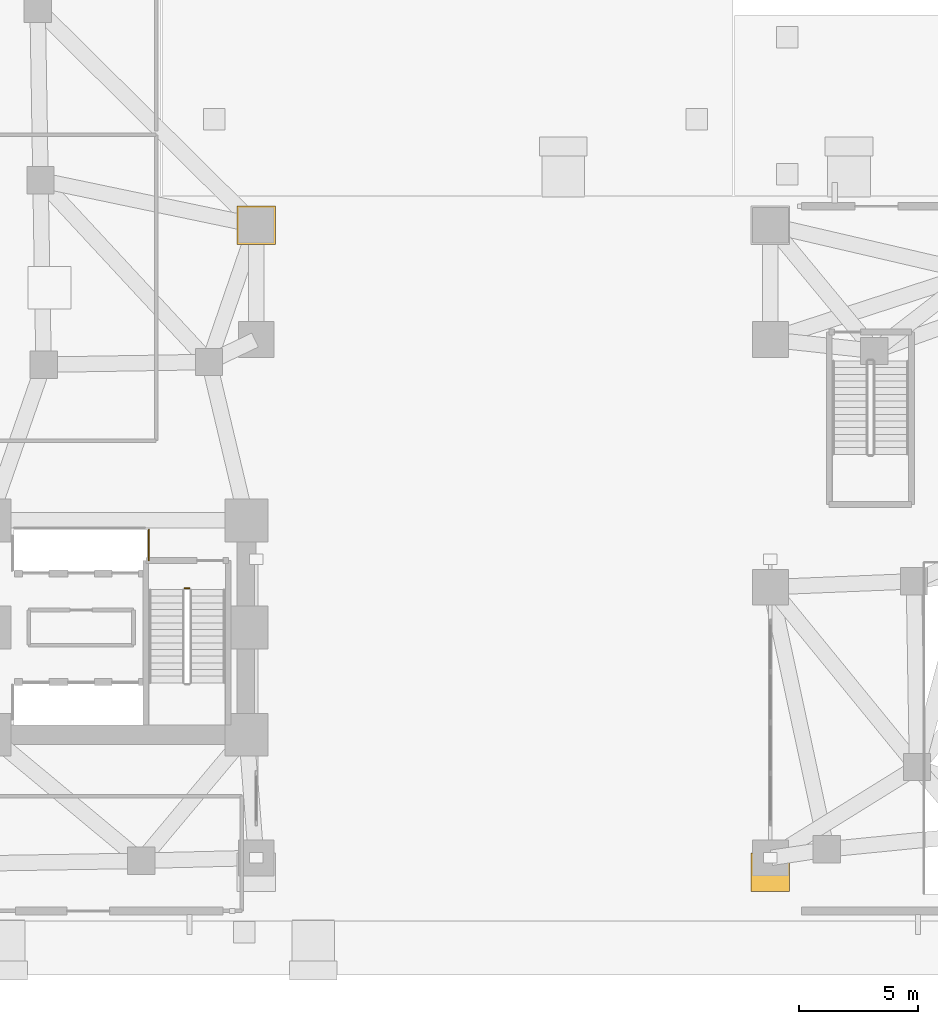
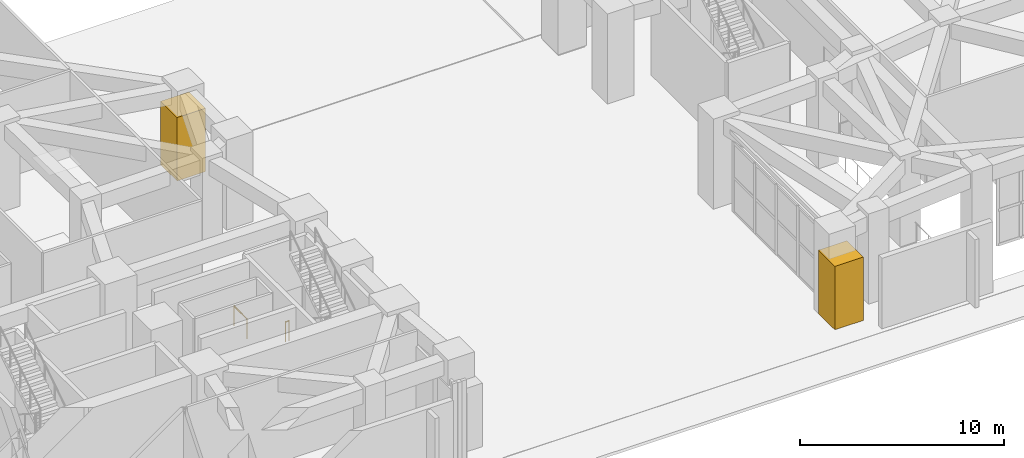
# One storey, part 16 of 19: 2 coverings, 2 railings.
"""IFC4 building model written with IfcOpenShell, lengths in metres."""

from ifc_helpers import new_model, si_unit, direction, frame, origin, origin_2d, place, context, subcontext, project, spatial, rectangle, circle, extrude, material, layer, layer_set, type_object, element, save


model = new_model("IFC4")

# Units and contexts
model_context = context("Model", 3, precision=1e-05, world=origin(), true_north=direction((0.0, 1.0)))
body_context = subcontext(model_context, "Body", "Model", "MODEL_VIEW")
ifc_project = project(units=[si_unit("LENGTHUNIT", "METRE"), si_unit("AREAUNIT", "SQUARE_METRE"), si_unit("VOLUMEUNIT", "CUBIC_METRE"), si_unit("PLANEANGLEUNIT", "RADIAN"), si_unit("MASSUNIT", "GRAM", prefix="KILO")], contexts=[model_context])

# Site, building, storey
site_placement = place(None, origin())
site = spatial("IfcSite", under=ifc_project, at=site_placement, CompositionType="ELEMENT")
building_placement = place(site_placement, origin())
building = spatial("IfcBuilding", under=site, at=building_placement, Name="Gaonmaruhae Medical Tower", CompositionType="ELEMENT")
storey_placement = place(building_placement, origin())
storey = spatial("IfcBuildingStorey", under=building, at=storey_placement, Name="L00", CompositionType="ELEMENT", Elevation=0.0)

# Coverings
ifc_material_1 = material(Name="Architectural precast column cladding", Category="concrete")
ifc_layer = layer(ifc_material_1, 0.06005859375)
ifc_layer_set = layer_set([ifc_layer], Name="Architectural precast column cladding")
covering_type = type_object("IfcCoveringType", Name="CLD-01 Architectural Precast Pier Cladding", PredefinedType="CLADDING", material=ifc_layer_set)
for number, where, z_axis, x_axis, name in (
    (1, (57.60009765625, 2.02001953125, 0.10009765625), (0.0, 0.0, 1.0), (1.0, 0.0, 0.0), "L00 Architectural Precast Column Cladding 2"),
    (2, (36.0, 29.199951171875, 0.10009765625), (0.0, 0.0, 1.0), (1.0, 0.0, 0.0), "L00 Architectural Precast Column Cladding 3"),
):
    element("IfcCovering", number, at=place(storey_placement, frame(where, z_axis=z_axis, x_axis=x_axis)), inside=storey, type_object=covering_type, Name=name, PredefinedType="CLADDING", context=body_context, shape_type="SweptSolid", body=[
        extrude(rectangle(XDim=1.6201171875, YDim=1.6201171875, at=origin_2d()), origin(), (0.0, 0.0, 1.0), 3.800048828125),
    ])

# Railings
ifc_material_2 = material(Name="Stainless steel 304 balustrade", Category="steel")
railing_type = type_object("IfcRailingType", Name="SG-112 Stair Well & Ramp Void Safety Balustrade", PredefinedType="BALUSTRADE", material=ifc_material_2)
railing_1_placement = place(storey_placement, frame((33.0, 13.949951171875, 0.0)))
element("IfcRailing", 3, at=railing_1_placement, inside=storey, type_object=railing_type, Name="L00 ST-02 stair guard 4", PredefinedType="BALUSTRADE", context=body_context, shape_type="SweptSolid", body=[
    extrude(circle(Radius=0.02392578125, at=origin_2d()), frame((0.0, 0.0, 1.17578125), z_axis=(1.0, 0.0, 0.0), x_axis=(0.0, 1.0, 0.0)), (0.0, 0.0, 1.0), 0.199951171875),
    extrude(circle(Radius=0.02099609375, at=origin_2d()), origin(), (0.0, 0.0, 1.0), 1.15185546875),
    extrude(circle(Radius=0.02099609375, at=origin_2d()), frame((0.199951171875, 0.0, 0.0)), (0.0, 0.0, 1.0), 1.15185546875),
])
railing_2_placement = place(storey_placement, frame((31.4951171875, 16.405029296875, 0.0)))
element("IfcRailing", 4, at=railing_2_placement, inside=storey, type_object=railing_type, Name="L00 Shaft Edge Safety Guard 04", PredefinedType="BALUSTRADE", context=body_context, shape_type="SweptSolid", body=[
    extrude(circle(Radius=0.02392578125, at=origin_2d()), frame((0.0, 0.0, 1.17578125), z_axis=(0.0, -1.0, 0.0), x_axis=(1.0, 0.0, 0.0)), (0.0, 0.0, 1.0), 1.284912109375),
    extrude(circle(Radius=0.02099609375, at=origin_2d()), origin(), (0.0, 0.0, 1.0), 1.15185546875),
    extrude(circle(Radius=0.02099609375, at=origin_2d()), frame((0.0, -1.284912109375, 0.0)), (0.0, 0.0, 1.0), 1.15185546875),
])

save(model, "model.ifc")
